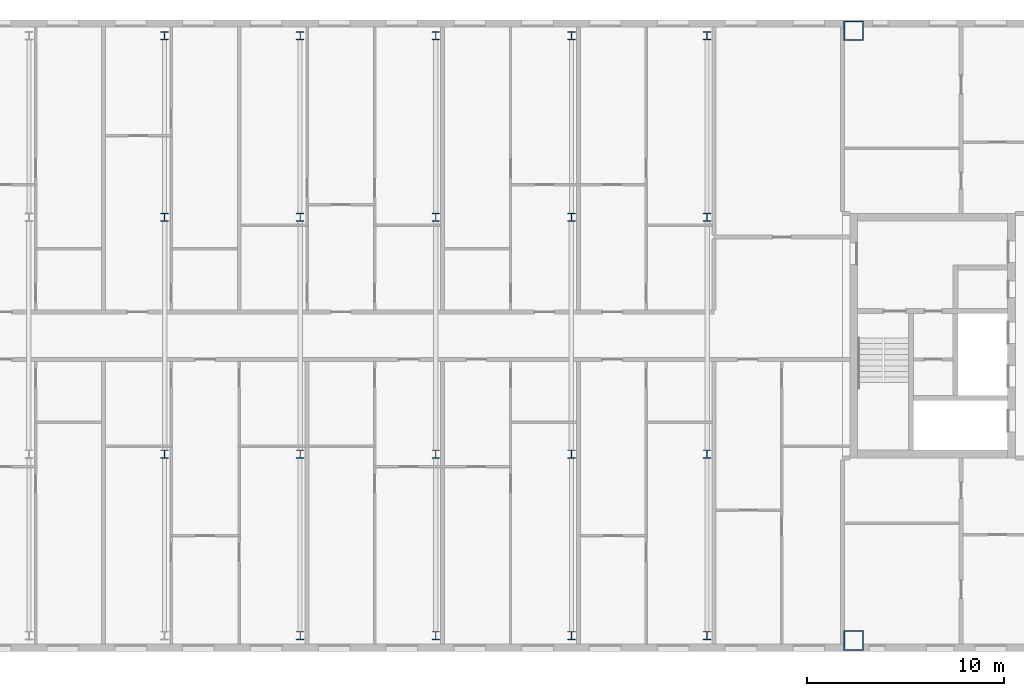
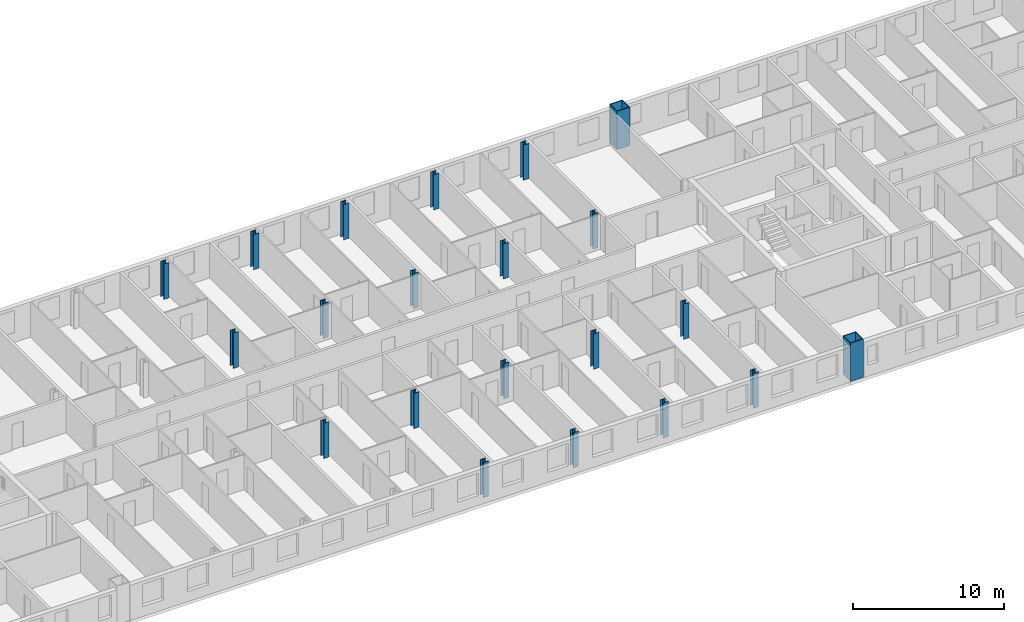
# One storey, part 2 of 19: 21 columns.
"""IFC4 building model written with IfcOpenShell, lengths in metres."""

from ifc_helpers import new_model, si_unit, direction, frame, origin, origin_2d, place, context, subcontext, project, spatial, hollow_rectangle, i_section, extrude, material, material_profile, profile_set, type_object, element, save


model = new_model("IFC4")

# Units and contexts
model_context = context("Model", 3, precision=1e-05, world=origin(), true_north=direction((0.0, 1.0)))
body_context = subcontext(model_context, "Body", "Model", "MODEL_VIEW")
ifc_project = project(units=[si_unit("LENGTHUNIT", "METRE"), si_unit("AREAUNIT", "SQUARE_METRE"), si_unit("VOLUMEUNIT", "CUBIC_METRE"), si_unit("PLANEANGLEUNIT", "RADIAN"), si_unit("MASSUNIT", "GRAM", prefix="KILO")], contexts=[model_context])

# Site, building, storey
site_placement = place(None, origin())
site = spatial("IfcSite", under=ifc_project, at=site_placement, CompositionType="ELEMENT")
building_placement = place(site_placement, origin())
building = spatial("IfcBuilding", under=site, at=building_placement, Name="Tuart Gate Housing", CompositionType="ELEMENT")
storey_placement = place(building_placement, frame((0.0, 0.0, 205.89990234375)))
storey = spatial("IfcBuildingStorey", under=building, at=storey_placement, Name="L58", CompositionType="ELEMENT", Elevation=205.89990234375)

# Columns
ifc_material_1 = material(Name="Steel Grade 350", Category="steel")
ifc_material_profile_1 = material_profile(ifc_material_1, i_section(OverallWidth=0.39990234375, OverallDepth=0.429931640625, WebThickness=0.0400390625, FlangeThickness=0.0400390625, at=origin_2d()), Name="400WC361")
ifc_profile_set_1 = profile_set([ifc_material_profile_1], Name="Steel Grade 350")
column_type_1 = type_object("IfcColumnType", Name="Link column 400 WC361", PredefinedType="COLUMN", material=ifc_profile_set_1)
for number, where, z_axis, x_axis, name in (
    (1, (103.5, 54.800048828125, 0.0), (0.0, 0.0, 1.0), (1.0, 0.0, 0.0), "Link column line 1 point 4 L58"),
    (2, (110.375, 54.800048828125, 0.0), (0.0, 0.0, 1.0), (1.0, 0.0, 0.0), "Link column line 1 point 5 L58"),
    (3, (117.25, 54.800048828125, 0.0), (0.0, 0.0, 1.0), (1.0, 0.0, 0.0), "Link column line 1 point 6 L58"),
    (4, (124.125, 54.800048828125, 0.0), (0.0, 0.0, 1.0), (1.0, 0.0, 0.0), "Link column line 1 point 7 L58"),
    (5, (96.625, 64.0, 0.0), (0.0, 0.0, 1.0), (1.0, 0.0, 0.0), "Link column line 2 point 3 L58"),
    (6, (103.5, 64.0, 0.0), (0.0, 0.0, 1.0), (1.0, 0.0, 0.0), "Link column line 2 point 4 L58"),
    (7, (110.375, 64.0, 0.0), (0.0, 0.0, 1.0), (1.0, 0.0, 0.0), "Link column line 2 point 5 L58"),
    (8, (117.25, 64.0, 0.0), (0.0, 0.0, 1.0), (1.0, 0.0, 0.0), "Link column line 2 point 6 L58"),
    (9, (124.125, 64.0, 0.0), (0.0, 0.0, 1.0), (1.0, 0.0, 0.0), "Link column line 2 point 7 L58"),
    (10, (96.625, 76.0, 0.0), (0.0, 0.0, 1.0), (1.0, 0.0, 0.0), "Link column line 3 point 3 L58"),
    (11, (103.5, 76.0, 0.0), (0.0, 0.0, 1.0), (1.0, 0.0, 0.0), "Link column line 3 point 4 L58"),
    (12, (110.375, 76.0, 0.0), (0.0, 0.0, 1.0), (1.0, 0.0, 0.0), "Link column line 3 point 5 L58"),
    (13, (117.25, 76.0, 0.0), (0.0, 0.0, 1.0), (1.0, 0.0, 0.0), "Link column line 3 point 6 L58"),
    (14, (124.125, 76.0, 0.0), (0.0, 0.0, 1.0), (1.0, 0.0, 0.0), "Link column line 3 point 7 L58"),
    (15, (96.625, 85.199951171875, 0.0), (0.0, 0.0, 1.0), (1.0, 0.0, 0.0), "Link column line 4 point 3 L58"),
    (16, (103.5, 85.199951171875, 0.0), (0.0, 0.0, 1.0), (1.0, 0.0, 0.0), "Link column line 4 point 4 L58"),
    (17, (110.375, 85.199951171875, 0.0), (0.0, 0.0, 1.0), (1.0, 0.0, 0.0), "Link column line 4 point 5 L58"),
    (18, (117.25, 85.199951171875, 0.0), (0.0, 0.0, 1.0), (1.0, 0.0, 0.0), "Link column line 4 point 6 L58"),
    (19, (124.125, 85.199951171875, 0.0), (0.0, 0.0, 1.0), (1.0, 0.0, 0.0), "Link column line 4 point 7 L58"),
):
    element("IfcColumn", number, at=place(storey_placement, frame(where, z_axis=z_axis, x_axis=x_axis)), inside=storey, type_object=column_type_1, Name=name, PredefinedType="COLUMN", context=body_context, shape_type="SweptSolid", body=[
        extrude(i_section(OverallWidth=0.39990234375, OverallDepth=0.429931640625, WebThickness=0.0400390625, FlangeThickness=0.0400390625, at=origin_2d()), origin(), (0.0, 0.0, 1.0), 2.85009765625),
    ])
ifc_material_2 = material(Name="Steel Grade 350", Category="steel")
ifc_material_profile_2 = material_profile(ifc_material_2, hollow_rectangle(XDim=1.0, YDim=1.0, WallThickness=0.054931640625, at=origin_2d()), Name="BOX 1000x1000x55")
ifc_profile_set_2 = profile_set([ifc_material_profile_2], Name="Steel Grade 350")
column_type_2 = type_object("IfcColumnType", Name="Mega column BOX 1000x1000x55", PredefinedType="COLUMN", material=ifc_profile_set_2)
for number, where, z_axis, x_axis, name in (
    (20, (131.550048828125, 54.550048828125, 0.0), (0.0, 0.0, 1.0), (1.0, 0.0, 0.0), "Mega column B south-west L58"),
    (21, (131.550048828125, 85.449951171875, 0.0), (0.0, 0.0, 1.0), (1.0, 0.0, 0.0), "Mega column B north-west L58"),
):
    element("IfcColumn", number, at=place(storey_placement, frame(where, z_axis=z_axis, x_axis=x_axis)), inside=storey, type_object=column_type_2, Name=name, PredefinedType="COLUMN", context=body_context, shape_type="SweptSolid", body=[
        extrude(hollow_rectangle(XDim=1.0, YDim=1.0, WallThickness=0.054931640625, at=origin_2d()), origin(), (0.0, 0.0, 1.0), 3.10009765625),
    ])

save(model, "model.ifc")
